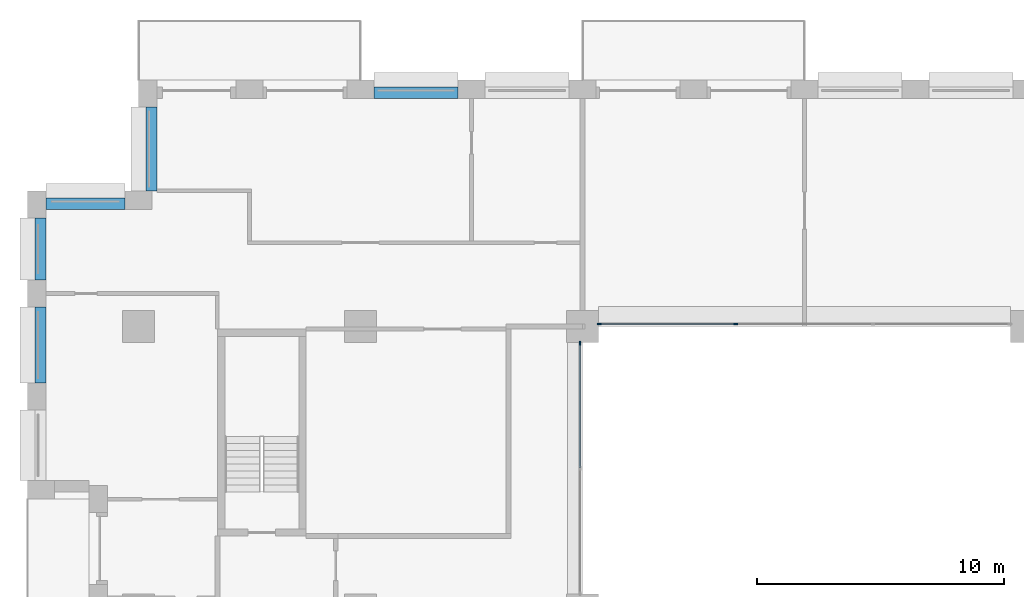
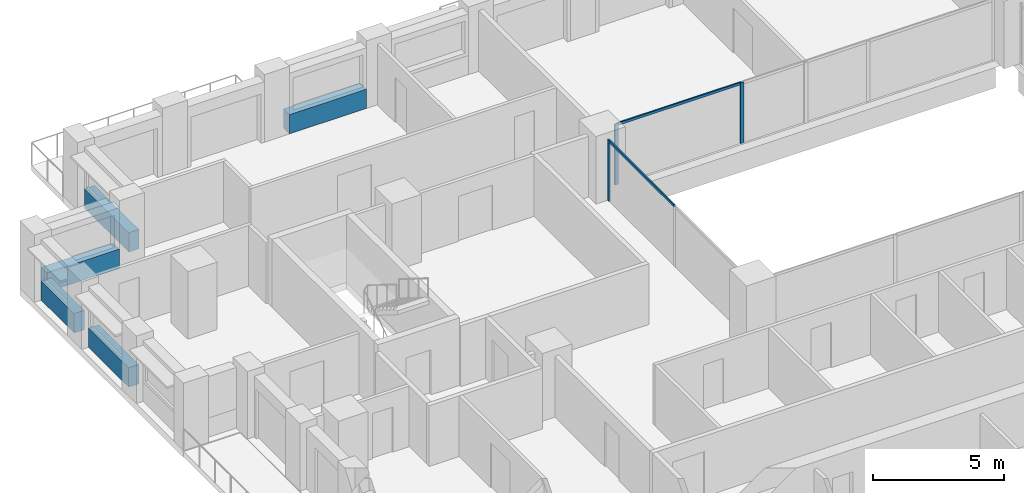
# One storey, part 5 of 16: 5 beams, 5 members, 2 elements without a shape of their own.
"""IFC4 building model written with IfcOpenShell, lengths in metres."""

from ifc_helpers import new_model, si_unit, direction, frame, origin, origin_2d, place, context, subcontext, project, spatial, rectangle, extrude, material, layer, layer_set, material_profile, profile_set, type_object, element, aggregate, save


model = new_model("IFC4")

# Units and contexts
model_context = context("Model", 3, precision=1e-05, world=origin(), true_north=direction((0.0, 1.0)))
body_context = subcontext(model_context, "Body", "Model", "MODEL_VIEW")
ifc_project = project(units=[si_unit("LENGTHUNIT", "METRE"), si_unit("AREAUNIT", "SQUARE_METRE"), si_unit("VOLUMEUNIT", "CUBIC_METRE"), si_unit("PLANEANGLEUNIT", "RADIAN"), si_unit("MASSUNIT", "GRAM", prefix="KILO")], contexts=[model_context])

# Site, building, storey
site_placement = place(None, origin())
site = spatial("IfcSite", under=ifc_project, at=site_placement, CompositionType="ELEMENT")
building_placement = place(site_placement, origin())
building = spatial("IfcBuilding", under=site, at=building_placement, Name="Brigalow Station Residences", CompositionType="ELEMENT")
storey_placement = place(building_placement, frame((0.0, 0.0, 105.60009765625)))
storey = spatial("IfcBuildingStorey", under=building, at=storey_placement, Name="L30", CompositionType="ELEMENT", Elevation=105.60009765625)

# Curtain wall, members
ifc_material_1 = material(Name="Aluminium", Category="aluminium")
ifc_layer = layer(ifc_material_1, 0.14990234375)
ifc_layer_set = layer_set([ifc_layer], Name="ATRIUM FIRE-RATED GLAZING CURTAIN WALL")
curtain_wall_type = type_object("IfcCurtainWallType", Name="ATRIUM FIRE-RATED GLAZING CURTAIN WALL", PredefinedType="NOTDEFINED", material=ifc_layer_set)
curtain_wall_1_placement = place(storey_placement, origin())
curtain_wall_1 = element("IfcCurtainWall", 1, at=curtain_wall_1_placement, inside=storey, type_object=curtain_wall_type, Name="L30/cw/atrium-N", PredefinedType="NOTDEFINED")
ifc_material_2 = material(Name="Aluminium", Category="aluminium")
ifc_material_profile_1 = material_profile(ifc_material_2, rectangle(XDim=0.06005859375, YDim=0.14990234375, at=origin_2d()), Name="ATRIUM FIRE-RATED GLAZING MULLION 60x150")
ifc_profile_set_1 = profile_set([ifc_material_profile_1], Name="Aluminium")
member_type_1 = type_object("IfcMemberType", Name="ATRIUM FIRE-RATED GLAZING MULLION 60x150", PredefinedType="MULLION", material=ifc_profile_set_1)
member_1_placement = place(storey_placement, frame((33.216796875, 35.60009765625, 0.0), z_axis=(0.0, 0.0, 1.0), x_axis=(0.0, -1.0, 0.0)))
member_1 = element("IfcMember", 2, at=member_1_placement, type_object=member_type_1, Name="L30/cw/atrium-N/M02", PredefinedType="MULLION", context=body_context, shape_type="SweptSolid", body=[
    extrude(rectangle(XDim=0.06005859375, YDim=0.14990234375, at=origin_2d()), origin(), (0.0, 0.0, 1.0), 2.829833984375),
])
member_2_placement = place(storey_placement, frame((27.679931640625, 35.60009765625, 0.0), z_axis=(0.0, 0.0, 1.0), x_axis=(0.0, -1.0, 0.0)))
member_2 = element("IfcMember", 3, at=member_2_placement, type_object=member_type_1, Name="L30/cw/atrium-N/M03", PredefinedType="MULLION", context=body_context, shape_type="SweptSolid", body=[
    extrude(rectangle(XDim=0.06005859375, YDim=0.14990234375, at=origin_2d()), origin(), (0.0, 0.0, 1.0), 2.829833984375),
])

# Curtain wall, member
curtain_wall_2_placement = place(storey_placement, origin())
curtain_wall_2 = element("IfcCurtainWall", 4, at=curtain_wall_2_placement, inside=storey, type_object=curtain_wall_type, Name="L30/cw/atrium-W", PredefinedType="NOTDEFINED")
member_3_placement = place(storey_placement, frame((26.89990234375, 34.820068359375, 0.0), z_axis=(0.0, 0.0, 1.0), x_axis=(1.0, 0.0, 0.0)))
member_3 = element("IfcMember", 5, at=member_3_placement, type_object=member_type_1, Name="L30/cw/atrium-W/M00", PredefinedType="MULLION", context=body_context, shape_type="SweptSolid", body=[
    extrude(rectangle(XDim=0.06005859375, YDim=0.14990234375, at=origin_2d()), origin(), (0.0, 0.0, 1.0), 2.829833984375),
])

# Member
ifc_material_3 = material(Name="Aluminium", Category="aluminium")
ifc_material_profile_2 = material_profile(ifc_material_3, rectangle(XDim=0.06005859375, YDim=0.1201171875, at=origin_2d()), Name="ATRIUM FIRE-RATED GLAZING TRANSOM 60x120")
ifc_profile_set_2 = profile_set([ifc_material_profile_2], Name="Aluminium")
member_type_2 = type_object("IfcMemberType", Name="ATRIUM FIRE-RATED GLAZING TRANSOM 60x120", PredefinedType="USERDEFINED", material=ifc_profile_set_2)
member_4_placement = place(storey_placement, frame((33.186767578125, 35.60009765625, 2.7998046875), z_axis=(-1.0, 0.0, 0.0), x_axis=(0.0, -1.0, 0.0)))
member_4 = element("IfcMember", 6, at=member_4_placement, type_object=member_type_2, Name="L30/cw/atrium-N/T02-00", ObjectType="TRANSOM", PredefinedType="USERDEFINED", context=body_context, shape_type="SweptSolid", body=[
    extrude(rectangle(XDim=0.06005859375, YDim=0.1201171875, at=origin_2d()), origin(), (0.0, 0.0, 1.0), 5.476806640625),
])

aggregate(curtain_wall_1, [member_1, member_2, member_4])

member_5_placement = place(storey_placement, frame((26.89990234375, 34.7900390625, 2.7998046875), z_axis=(0.0, -1.0, 0.0), x_axis=(1.0, 0.0, 0.0)))
member_5 = element("IfcMember", 7, at=member_5_placement, type_object=member_type_2, Name="L30/cw/atrium-W/T00-00", ObjectType="TRANSOM", PredefinedType="USERDEFINED", context=body_context, shape_type="SweptSolid", body=[
    extrude(rectangle(XDim=0.06005859375, YDim=0.1201171875, at=origin_2d()), origin(), (0.0, 0.0, 1.0), 5.010009765625),
])

aggregate(curtain_wall_2, [member_3, member_5])

# Beams
ifc_material_4 = material(Name="Concrete C65", Category="concrete")
ifc_material_profile_3 = material_profile(ifc_material_4, rectangle(XDim=0.449951171875, YDim=0.89990234375, at=origin_2d()), Name="RC450x900")
ifc_profile_set_3 = profile_set([ifc_material_profile_3], Name="Concrete C65")
beam_type = type_object("IfcBeamType", Name="SPANDREL BEAM 450x900 C65", PredefinedType="SPANDREL", material=ifc_profile_set_3)
for number, where, z_axis, x_axis, name in (
    (8, (21.949951171875, 44.97509765625, 0.449951171875), (-1.0, 0.0, 0.0), (0.0, -1.0, 0.0), "L30/spandrel/W-L30-34"),
    (9, (9.52490234375, 44.39990234375, 0.449951171875), (0.0, -1.0, 0.0), (1.0, 0.0, 0.0), "L30/spandrel/W-L30-37"),
):
    element("IfcBeam", number, at=place(storey_placement, frame(where, z_axis=z_axis, x_axis=x_axis)), inside=storey, type_object=beam_type, Name=name, PredefinedType="SPANDREL", context=body_context, shape_type="SweptSolid", body=[
        extrude(rectangle(XDim=0.449951171875, YDim=0.89990234375, at=origin_2d()), origin(), (0.0, 0.0, 1.0), 3.39990234375),
    ])
beam_1_placement = place(storey_placement, frame((8.449951171875, 40.47509765625, 0.449951171875), z_axis=(-1.0, 0.0, 0.0), x_axis=(0.0, -1.0, 0.0)))
element("IfcBeam", 10, at=beam_1_placement, inside=storey, type_object=beam_type, Name="L30/spandrel/W-L30-38", PredefinedType="SPANDREL", context=body_context, shape_type="SweptSolid", body=[
    extrude(rectangle(XDim=0.449951171875, YDim=0.89990234375, at=origin_2d()), origin(), (0.0, 0.0, 1.0), 3.199951171875),
])
beam_2_placement = place(storey_placement, frame((5.02490234375, 39.89990234375, 0.449951171875), z_axis=(0.0, -1.0, 0.0), x_axis=(1.0, 0.0, 0.0)))
element("IfcBeam", 11, at=beam_2_placement, inside=storey, type_object=beam_type, Name="L30/spandrel/W-L30-39", PredefinedType="SPANDREL", context=body_context, shape_type="SweptSolid", body=[
    extrude(rectangle(XDim=0.449951171875, YDim=0.89990234375, at=origin_2d()), origin(), (0.0, 0.0, 1.0), 2.516845703125),
])
beam_3_placement = place(storey_placement, frame((5.02490234375, 36.282958984375, 0.449951171875), z_axis=(0.0, -1.0, 0.0), x_axis=(1.0, 0.0, 0.0)))
element("IfcBeam", 12, at=beam_3_placement, inside=storey, type_object=beam_type, Name="L30/spandrel/W-L30-40", PredefinedType="SPANDREL", context=body_context, shape_type="SweptSolid", body=[
    extrude(rectangle(XDim=0.449951171875, YDim=0.89990234375, at=origin_2d()), origin(), (0.0, 0.0, 1.0), 3.06591796875),
])

save(model, "model.ifc")
